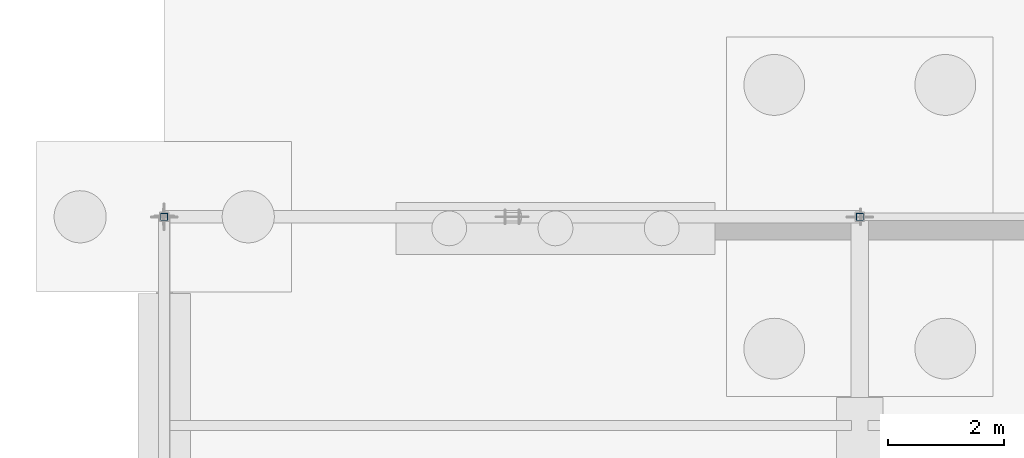
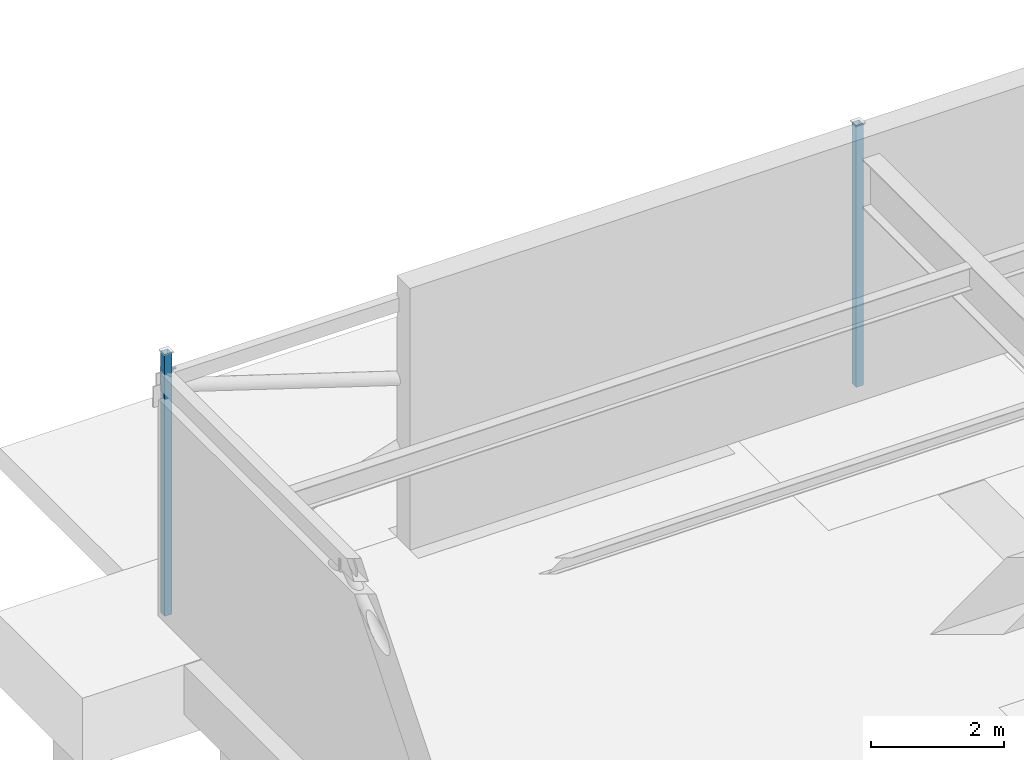
# One storey, part 69 of 136: 2 columns.
"""IFC4 building model written with IfcOpenShell, lengths in metres."""

import ifcopenshell
import ifcopenshell.guid

model = None  # the IFC model being written
_history = None  # IfcOwnerHistory: only IFC2X3 demands one
_inside = {}  # id of a spatial element -> (the spatial element, [elements in it])
_under = {}  # id of a project, library or spatial element -> (it, [spatial elements below it])
_declared = {}  # id of a project -> (the project, [libraries it declares])
_typed = {}  # id of a type object -> (the type object, [elements of that type])
_made_of = {}  # id of a material, layer set ... -> (it, [elements and type objects made of it])


def new_model(schema):
    """Start an empty IFC model of exactly this schema.

    Asked for "IFC4X3", IfcOpenShell would pick the latest addendum, in which some entities
    have other attributes; the version numbers below select the first issue.
    IFC2X3 requires an IfcOwnerHistory on every rooted entity: one is made here for all.
    """
    global model, _history
    if schema == "IFC4X3":
        model = ifcopenshell.file(schema_version=(4, 3, 0, 0))
    else:
        model = ifcopenshell.file(schema=schema)
    _inside.clear()
    _under.clear()
    _declared.clear()
    _typed.clear()
    _made_of.clear()
    _history = None
    if model.schema == "IFC2X3":
        org = make("IfcOrganization", Name="unknown")
        user = make(
            "IfcPersonAndOrganization",
            ThePerson=make("IfcPerson", FamilyName="unknown"),
            TheOrganization=org,
        )
        app = make(
            "IfcApplication",
            ApplicationDeveloper=org,
            Version="unknown",
            ApplicationFullName="unknown",
            ApplicationIdentifier="unknown",
        )
        _history = make(
            "IfcOwnerHistory",
            OwningUser=user,
            OwningApplication=app,
            ChangeAction="ADDED",
            CreationDate=0,
        )
    return model


def make(cls, **values):
    """One entity of the class cls with the attributes given. An attribute that is None is left unset."""
    return model.create_entity(
        cls, **{name: value for name, value in values.items() if value is not None}
    )


def rooted(cls, **values):
    """An entity with a GlobalId (a new one), such as an element, a storey or a relation."""
    return make(cls, GlobalId=ifcopenshell.guid.new(), OwnerHistory=_history, **values)


def si_unit(unit_type, name, prefix=None):
    """IfcSIUnit, for example si_unit("LENGTHUNIT", "METRE", prefix="MILLI")."""
    return make("IfcSIUnit", UnitType=unit_type, Prefix=prefix, Name=name)


def assignment(units):
    """IfcUnitAssignment: the units of a project."""
    return None if units is None else make("IfcUnitAssignment", Units=units)


def point(xyz):
    """IfcCartesianPoint."""
    return None if xyz is None else make("IfcCartesianPoint", Coordinates=xyz)


def direction(xyz):
    """IfcDirection."""
    return None if xyz is None else make("IfcDirection", DirectionRatios=xyz)


def frame(location, z_axis=None, x_axis=None):
    """IfcAxis2Placement3D, a coordinate frame: its origin and axes. An axis left out is left unset."""
    return make(
        "IfcAxis2Placement3D",
        Location=point(location),
        Axis=direction(z_axis),
        RefDirection=direction(x_axis),
    )


def frame_2d(location, x_axis=None):
    """IfcAxis2Placement2D, a coordinate frame in the plane: its origin and x axis."""
    return make(
        "IfcAxis2Placement2D", Location=point(location), RefDirection=direction(x_axis)
    )


def origin():
    """The frame at (0, 0, 0) with its axes left unset."""
    return frame((0.0, 0.0, 0.0))


def origin_2d():
    """The frame at (0, 0) in the plane with its x axis left unset."""
    return frame_2d((0.0, 0.0))


def place(relative_to, where):
    """IfcLocalPlacement: puts the frame where relative to a parent placement (None: the world)."""
    return make(
        "IfcLocalPlacement", PlacementRelTo=relative_to, RelativePlacement=where
    )


def context(
    kind, dimensions, precision=None, world=None, true_north=None, identifier=None
):
    """IfcGeometricRepresentationContext, for example the 3D "Model" context."""
    return make(
        "IfcGeometricRepresentationContext",
        ContextIdentifier=identifier,
        ContextType=kind,
        CoordinateSpaceDimension=dimensions,
        Precision=precision,
        WorldCoordinateSystem=world,
        TrueNorth=true_north,
    )


def subcontext(parent, identifier, kind, view, scale=None):
    """IfcGeometricRepresentationSubContext, for example "Body" below "Model"."""
    return make(
        "IfcGeometricRepresentationSubContext",
        ContextIdentifier=identifier,
        ContextType=kind,
        ParentContext=parent,
        TargetScale=scale,
        TargetView=view,
    )


def project(units=None, contexts=None):
    """IfcProject with its units and contexts."""
    return rooted(
        "IfcProject",
        Name="project",
        RepresentationContexts=contexts,
        UnitsInContext=assignment(units),
    )


def spatial(cls, under=None, at=None, **own):
    """A site, building, storey or space (cls), placed at a placement, below another one or the project."""
    s = rooted(cls, ObjectPlacement=at, **own)
    if under is not None:
        _under.setdefault(under.id(), (under, []))[1].append(s)
    return s


def profile(cls, at=None, kind="AREA", **sizes):
    """A parametric profile (cls). Its sizes go by their IFC names, for example OverallWidth=200.0."""
    return make(cls, ProfileType=kind, Position=at, **sizes)


def hollow_rectangle(**sizes):
    """IfcRectangleHollowProfileDef."""
    return profile("IfcRectangleHollowProfileDef", **sizes)


def extrude(swept, where, along, depth):
    """IfcExtrudedAreaSolid: the profile swept, set in the frame where, extruded along a direction by depth."""
    return make(
        "IfcExtrudedAreaSolid",
        SweptArea=swept,
        Position=where,
        ExtrudedDirection=direction(along),
        Depth=depth,
    )


def shape(context_of_items, identifier, shape_type, items):
    """IfcShapeRepresentation: the items that make up one representation, for example the "Body"."""
    return make(
        "IfcShapeRepresentation",
        ContextOfItems=context_of_items,
        RepresentationIdentifier=identifier,
        RepresentationType=shape_type,
        Items=items,
    )


def material(Name=None, Category=None):
    """IfcMaterial."""
    return make("IfcMaterial", Name=Name, Category=Category)


def material_profile(
    of_material, cross_section, Name=None, Category=None, Priority=None
):
    """IfcMaterialProfile: a cross section and its material."""
    return make(
        "IfcMaterialProfile",
        Name=Name,
        Material=of_material,
        Profile=cross_section,
        Priority=Priority,
        Category=Category,
    )


def profile_set(profiles, Name=None, composite=None):
    """IfcMaterialProfileSet."""
    return make(
        "IfcMaterialProfileSet",
        Name=Name,
        MaterialProfiles=profiles,
        CompositeProfile=composite,
    )


def made_of(thing, what):
    """Note that an element or type object is made of a material, layer set ...; save() writes the relation."""
    if what is not None:
        _made_of.setdefault(what.id(), (what, []))[1].append(thing)
    return thing


def type_object(cls, material=None, **own):
    """A type object (cls), such as IfcWallType, which elements share."""
    return made_of(rooted(cls, **own), material)


def element(
    cls,
    number,
    at=None,
    inside=None,
    cuts=None,
    type_object=None,
    material=None,
    context=None,
    identifier="Body",
    shape_type=None,
    held_by="IfcProductDefinitionShape",
    body=None,
    shapes=None,
    **own,
):
    """One element of the class cls, such as IfcWall. Its Tag is "e" and its number.

    at: its placement. inside: the storey or other place that contains it. cuts: it is an
    opening in that element (IfcRelVoidsElement). A single representation is given by context,
    identifier, shape_type and body (its items); several are given by shapes. held_by: the class
    of the entity that holds the representations. save() writes the other relations.
    """
    e = rooted(cls, Tag="e%d" % number, ObjectPlacement=at, **own)
    if body is not None:
        shapes = [shape(context, identifier, shape_type, body)]
    if shapes is not None:
        e.Representation = make(held_by, Representations=shapes)
    if inside is not None:
        _inside.setdefault(inside.id(), (inside, []))[1].append(e)
    if cuts is not None:
        rooted(
            "IfcRelVoidsElement", RelatingBuildingElement=cuts, RelatedOpeningElement=e
        )
    if type_object is not None:
        _typed.setdefault(type_object.id(), (type_object, []))[1].append(e)
    return made_of(e, material)


def aggregate(whole, parts):
    """IfcRelAggregates: a whole, such as a stair, and the parts it consists of."""
    return rooted("IfcRelAggregates", RelatingObject=whole, RelatedObjects=parts)


def save(model, path):
    """Write the relations noted so far, then the file.

    IfcRelAggregates (storeys below a building ...), IfcRelContainedInSpatialStructure (elements
    in a storey), IfcRelDefinesByType, IfcRelAssociatesMaterial and IfcRelDeclares: one each for
    every whole, place, type object, material and project.
    """
    for whole, parts in _under.values():
        aggregate(whole, parts)
    for where, things in _inside.values():
        rooted(
            "IfcRelContainedInSpatialStructure",
            RelatedElements=things,
            RelatingStructure=where,
        )
    for kind, things in _typed.values():
        rooted("IfcRelDefinesByType", RelatedObjects=things, RelatingType=kind)
    for what, things in _made_of.values():
        rooted("IfcRelAssociatesMaterial", RelatedObjects=things, RelatingMaterial=what)
    for by, libraries in _declared.values():
        rooted("IfcRelDeclares", RelatingContext=by, RelatedDefinitions=libraries)
    model.write(path)


model = new_model("IFC4")

# Units and contexts
model_context = context("Model", 3, precision=1e-05, world=origin(), true_north=direction((0.0, 1.0)))
body_context = subcontext(model_context, "Body", "Model", "MODEL_VIEW")
ifc_project = project(units=[si_unit("LENGTHUNIT", "METRE"), si_unit("AREAUNIT", "SQUARE_METRE"), si_unit("VOLUMEUNIT", "CUBIC_METRE"), si_unit("PLANEANGLEUNIT", "RADIAN"), si_unit("MASSUNIT", "GRAM", prefix="KILO")], contexts=[model_context])

# Site, building, storey
site_placement = place(None, origin())
site = spatial("IfcSite", under=ifc_project, at=site_placement, CompositionType="ELEMENT")
building_placement = place(site_placement, origin())
building = spatial("IfcBuilding", under=site, at=building_placement, Name="Tarnwether General Hospital", CompositionType="ELEMENT")
storey_placement = place(building_placement, frame((0.0, 0.0, -4.800048828125)))
storey = spatial("IfcBuildingStorey", under=building, at=storey_placement, Name="LG", CompositionType="ELEMENT", Elevation=-4.800048828125)

# Columns
ifc_material = material(Name="Steel Grade C350L0 (350 MPa)", Category="steel")
ifc_material_profile = material_profile(ifc_material, hollow_rectangle(XDim=0.125, YDim=0.125, WallThickness=0.006103515625, at=origin_2d()), Name="SHS125x125x6")
ifc_profile_set = profile_set([ifc_material_profile], Name="Steel Grade C350L0 (350 MPa)")
column_type = type_object("IfcColumnType", Name="COL-34", PredefinedType="COLUMN", material=ifc_profile_set)
for number, where, z_axis, x_axis, name in (
    (1, (0.0, 126.0, 0.0), (0.0, 0.0, 1.0), (1.0, 0.0, 0.0), "Column COLG-LG-0_12600"),
    (2, (12.0, 126.0, 0.0), (0.0, 0.0, 1.0), (0.0, 1.0, 0.0), "Column COLG-LG-1200_12600"),
):
    element("IfcColumn", number, at=place(storey_placement, frame(where, z_axis=z_axis, x_axis=x_axis)), inside=storey, type_object=column_type, Name=name, PredefinedType="COLUMN", context=body_context, shape_type="SweptSolid", body=[
        extrude(hollow_rectangle(XDim=0.125, YDim=0.125, WallThickness=0.006103515625, at=origin_2d()), origin(), (0.0, 0.0, 1.0), 4.800048828125),
    ])

save(model, "model.ifc")
